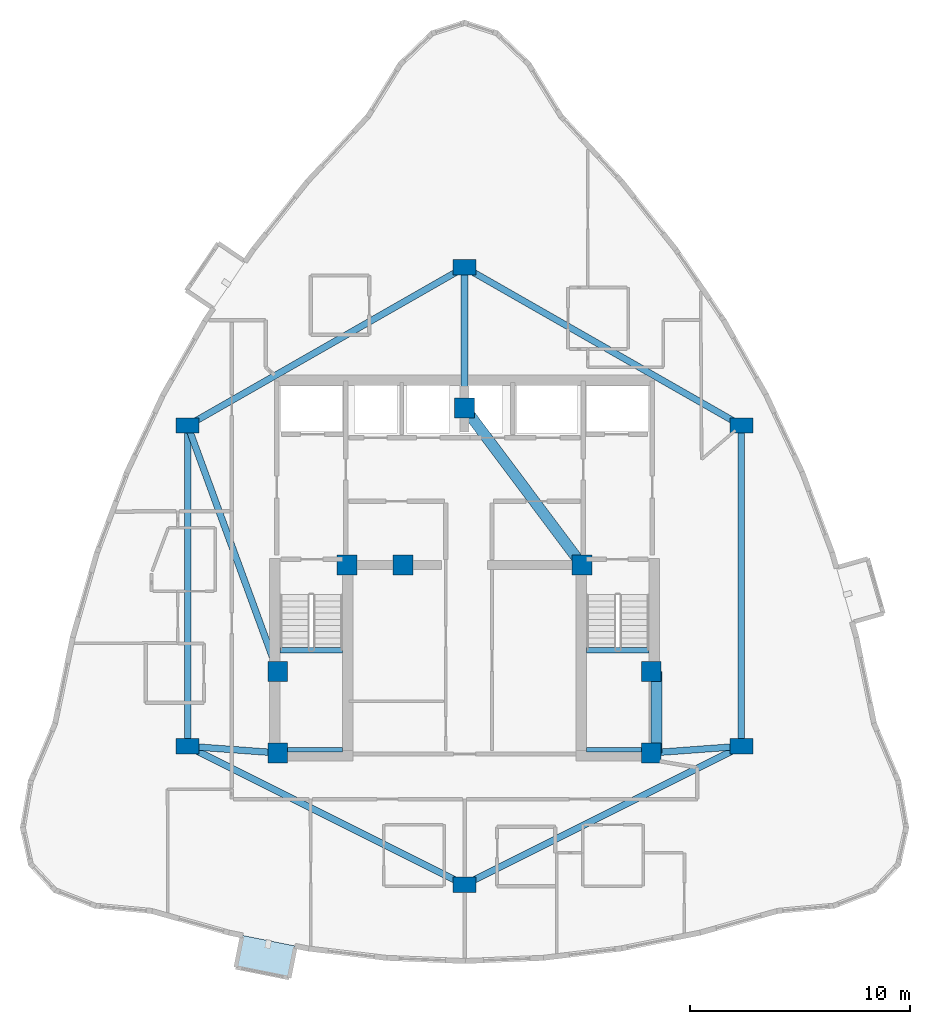
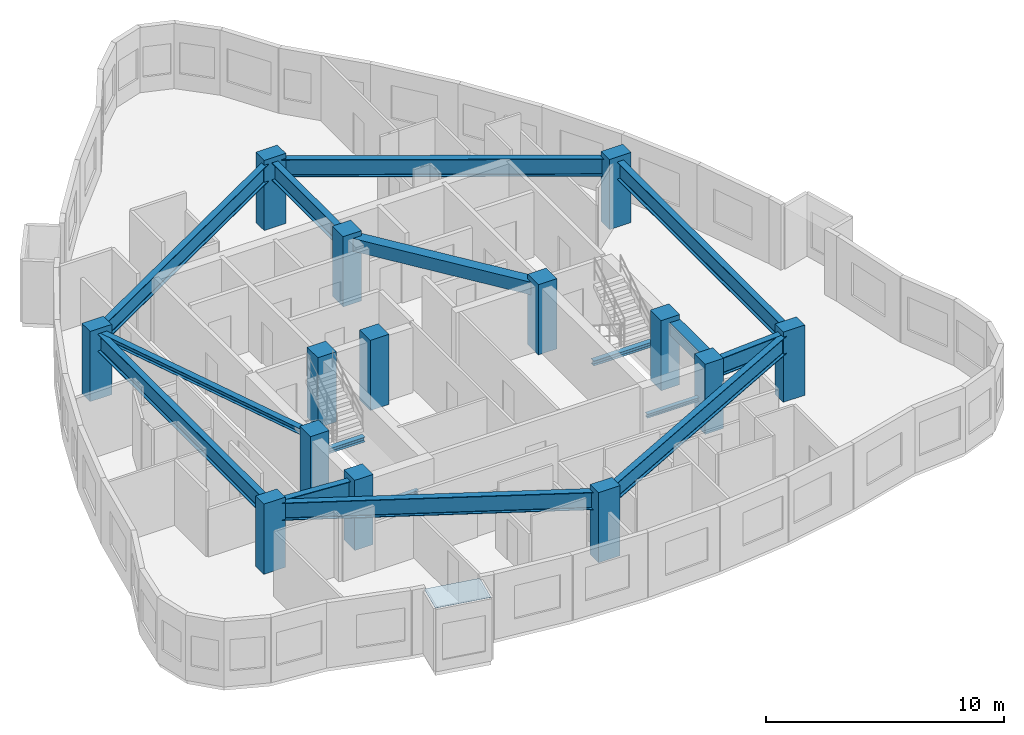
# One storey, part 1 of 13: 16 beams, 14 columns, 1 plate.
"""IFC4 building model written with IfcOpenShell, lengths in metres."""

from ifc_helpers import new_model, si_unit, direction, frame, origin, origin_2d, place, context, subcontext, project, spatial, polyline, rectangle, i_section, outline, extrude, material, layer, layer_set, material_profile, profile_set, type_object, element, save


model = new_model("IFC4")

# Units and contexts
model_context = context("Model", 3, precision=1e-05, world=origin(), true_north=direction((0.0, 1.0)))
body_context = subcontext(model_context, "Body", "Model", "MODEL_VIEW")
ifc_project = project(units=[si_unit("LENGTHUNIT", "METRE"), si_unit("AREAUNIT", "SQUARE_METRE"), si_unit("VOLUMEUNIT", "CUBIC_METRE"), si_unit("PLANEANGLEUNIT", "RADIAN"), si_unit("MASSUNIT", "GRAM", prefix="KILO")], contexts=[model_context])

# Site, building, storey
site_placement = place(None, origin())
site = spatial("IfcSite", under=ifc_project, at=site_placement, CompositionType="ELEMENT")
building_placement = place(site_placement, origin())
building = spatial("IfcBuilding", under=site, at=building_placement, Name="Miruveldt Soraemaru", CompositionType="ELEMENT")
storey_placement = place(building_placement, frame((0.0, 0.0, 205.199951171875)))
storey = spatial("IfcBuildingStorey", under=building, at=storey_placement, Name="L56", CompositionType="ELEMENT", Elevation=205.199951171875)

# Columns
ifc_material_1 = material(Name="Concrete C50/60 (50 MPa)", Category="concrete")
ifc_material_profile_1 = material_profile(ifc_material_1, rectangle(XDim=0.89990234375, YDim=0.89990234375, at=origin_2d()), Name="Concrete C50/60 (50 MPa)", Category="concrete")
ifc_profile_set_1 = profile_set([ifc_material_profile_1], Name="Concrete C50/60 (50 MPa)")
column_type_1 = type_object("IfcColumnType", Name="COL-CORE-900", PredefinedType="COLUMN", material=ifc_profile_set_1)
for number, where, z_axis, x_axis, name in (
    (1, (35.5, 35.5, 0.0), (0.0, 0.0, 1.0), (1.0, 0.0, 0.0), "L56 Structural Column CC1"),
    (2, (38.64990234375, 44.050048828125, 0.0), (0.0, 0.0, 1.0), (1.0, 0.0, 0.0), "L56 Structural Column CC2"),
    (3, (52.5, 35.5, 0.0), (0.0, 0.0, 1.0), (1.0, 0.0, 0.0), "L56 Structural Column CC3"),
    (4, (52.5, 39.199951171875, 0.0), (0.0, 0.0, 1.0), (1.0, 0.0, 0.0), "L56 Structural Column CC4"),
    (5, (49.35009765625, 44.050048828125, 0.0), (0.0, 0.0, 1.0), (1.0, 0.0, 0.0), "L56 Structural Column CC5"),
    (6, (44.0, 51.199951171875, 0.0), (0.0, 0.0, 1.0), (1.0, 0.0, 0.0), "L56 Structural Column CC6"),
    (7, (35.5, 39.199951171875, 0.0), (0.0, 0.0, 1.0), (1.0, 0.0, 0.0), "L56 Structural Column CC7"),
    (8, (41.199951171875, 44.050048828125, 0.0), (0.0, 0.0, 1.0), (1.0, 0.0, 0.0), "L56 Structural Column CC8"),
):
    element("IfcColumn", number, at=place(storey_placement, frame(where, z_axis=z_axis, x_axis=x_axis)), inside=storey, type_object=column_type_1, Name=name, PredefinedType="COLUMN", context=body_context, shape_type="SweptSolid", body=[
        extrude(rectangle(XDim=0.89990234375, YDim=0.89990234375, at=origin_2d()), origin(), (0.0, 0.0, 1.0), 3.60009765625),
    ])
ifc_material_2 = material(Name="Concrete C60/75 (60 MPa)", Category="concrete")
ifc_material_profile_2 = material_profile(ifc_material_2, rectangle(XDim=1.050048828125, YDim=0.699951171875, at=origin_2d()), Name="Concrete C60/75 (60 MPa)", Category="concrete")
ifc_profile_set_2 = profile_set([ifc_material_profile_2], Name="Concrete C60/75 (60 MPa)")
column_type_2 = type_object("IfcColumnType", Name="COL-TW-Z3", PredefinedType="COLUMN", material=ifc_profile_set_2)
for number, where, z_axis, x_axis, name in (
    (9, (44.0, 57.60009765625, 0.0), (0.0, 0.0, 1.0), (1.0, 0.0, 0.0), "L56 Structural Column IR01"),
    (10, (56.60009765625, 50.39990234375, 0.0), (0.0, 0.0, 1.0), (1.0, 0.0, 0.0), "L56 Structural Column IR02"),
    (11, (56.60009765625, 35.800048828125, 0.0), (0.0, 0.0, 1.0), (1.0, 0.0, 0.0), "L56 Structural Column IR03"),
    (12, (44.0, 29.5, 0.0), (0.0, 0.0, 1.0), (1.0, 0.0, 0.0), "L56 Structural Column IR04"),
    (13, (31.39990234375, 35.800048828125, 0.0), (0.0, 0.0, 1.0), (1.0, 0.0, 0.0), "L56 Structural Column IR05"),
    (14, (31.39990234375, 50.39990234375, 0.0), (0.0, 0.0, 1.0), (1.0, 0.0, 0.0), "L56 Structural Column IR06"),
):
    element("IfcColumn", number, at=place(storey_placement, frame(where, z_axis=z_axis, x_axis=x_axis)), inside=storey, type_object=column_type_2, Name=name, PredefinedType="COLUMN", context=body_context, shape_type="SweptSolid", body=[
        extrude(rectangle(XDim=1.050048828125, YDim=0.699951171875, at=origin_2d()), origin(), (0.0, 0.0, 1.0), 3.60009765625),
    ])

# Beams
ifc_material_3 = material(Name="Steel SM355 (355 MPa)", Category="steel")
ifc_material_profile_3 = material_profile(ifc_material_3, i_section(OverallWidth=0.300048828125, OverallDepth=0.300048828125, WebThickness=0.010009765625, FlangeThickness=0.014892578125, FilletRadius=0.01806640625, at=origin_2d()), Name="Steel SM355 (355 MPa)", Category="steel")
ifc_profile_set_3 = profile_set([ifc_material_profile_3], Name="Steel SM355 (355 MPa)")
beam_type_1 = type_object("IfcBeamType", Name="BM-LNT-H300", PredefinedType="LINTEL", material=ifc_profile_set_3)
beam_1_placement = place(storey_placement, frame((31.39990234375, 50.39990234375, 3.195068359375), z_axis=(0.343770424598, -0.939053723262, 0.0), x_axis=(0.939053723262, 0.343770424598, 0.0)))
element("IfcBeam", 15, at=beam_1_placement, inside=storey, type_object=beam_type_1, Name="L56 West Lobby Lintel", PredefinedType="LINTEL", context=body_context, shape_type="SweptSolid", body=[
    extrude(i_section(OverallWidth=0.300048828125, OverallDepth=0.300048828125, WebThickness=0.010009765625, FlangeThickness=0.014892578125, FilletRadius=0.01806640625, at=origin_2d()), origin(), (0.0, 0.0, 1.0), 11.9267578125),
])
ifc_material_profile_4 = material_profile(ifc_material_1, rectangle(XDim=0.5, YDim=0.64990234375, at=origin_2d()), Name="Concrete C50/60 (50 MPa)", Category="concrete")
ifc_profile_set_4 = profile_set([ifc_material_profile_4], Name="Concrete C50/60 (50 MPa)")
beam_type_2 = type_object("IfcBeamType", Name="BM-RC-500x650", PredefinedType="BEAM", material=ifc_profile_set_4)
beam_2_placement = place(storey_placement, frame((52.72998046875, 35.5, 3.02001953125), z_axis=(0.0, 1.0, 0.0), x_axis=(-1.0, 0.0, 0.0)))
element("IfcBeam", 16, at=beam_2_placement, inside=storey, type_object=beam_type_2, Name="L56 Core Tie Beam 3", PredefinedType="BEAM", context=body_context, shape_type="SweptSolid", body=[
    extrude(rectangle(XDim=0.5, YDim=0.64990234375, at=origin_2d()), origin(), (0.0, 0.0, 1.0), 3.699951171875),
])
beam_3_placement = place(storey_placement, frame((49.35009765625, 44.050048828125, 3.02001953125), z_axis=(-0.599116023999, 0.800662219533, 0.0), x_axis=(-0.800662219533, -0.599116023999, 0.0)))
element("IfcBeam", 17, at=beam_3_placement, inside=storey, type_object=beam_type_2, Name="L56 Core Tie Beam 5", PredefinedType="BEAM", context=body_context, shape_type="SweptSolid", body=[
    extrude(rectangle(XDim=0.5, YDim=0.64990234375, at=origin_2d()), origin(), (0.0, 0.0, 1.0), 8.929931640625),
])
ifc_material_4 = material(Name="Steel S460 (460 MPa)", Category="steel")
ifc_material_profile_5 = material_profile(ifc_material_4, i_section(OverallWidth=0.300048828125, OverallDepth=0.89990234375, WebThickness=0.01611328125, FlangeThickness=0.028076171875, FilletRadius=0.028076171875, at=origin_2d()), Name="Steel S460 (460 MPa)", Category="steel")
ifc_profile_set_5 = profile_set([ifc_material_profile_5], Name="Steel S460 (460 MPa)")
beam_type_3 = type_object("IfcBeamType", Name="BM-ST-H900", PredefinedType="BEAM", material=ifc_profile_set_5)
beam_4_placement = place(storey_placement, frame((44.0, 57.60009765625, 2.89501953125), z_axis=(0.868239001029, -0.496146185203, 0.0), x_axis=(0.496146185203, 0.868239001029, 0.0)))
element("IfcBeam", 18, at=beam_4_placement, inside=storey, type_object=beam_type_3, Name="L56 Inner Ring Girder 1", PredefinedType="BEAM", context=body_context, shape_type="SweptSolid", body=[
    extrude(i_section(OverallWidth=0.300048828125, OverallDepth=0.89990234375, WebThickness=0.01611328125, FlangeThickness=0.028076171875, FilletRadius=0.028076171875, at=origin_2d()), origin(), (0.0, 0.0, 1.0), 14.51220703125),
])
beam_5_placement = place(storey_placement, frame((44.0, 51.199951171875, 2.89501953125), z_axis=(0.0, 1.0, 0.0), x_axis=(-1.0, 0.0, 0.0)))
element("IfcBeam", 19, at=beam_5_placement, inside=storey, type_object=beam_type_3, Name="L56 Core-to-Inner Radial Girder 1", PredefinedType="BEAM", context=body_context, shape_type="SweptSolid", body=[
    extrude(i_section(OverallWidth=0.300048828125, OverallDepth=0.89990234375, WebThickness=0.01611328125, FlangeThickness=0.028076171875, FilletRadius=0.028076171875, at=origin_2d()), origin(), (0.0, 0.0, 1.0), 6.400146484375),
])
beam_6_placement = place(storey_placement, frame((56.60009765625, 50.39990234375, 2.89501953125), z_axis=(0.0, -1.0, 0.0), x_axis=(1.0, 0.0, 0.0)))
element("IfcBeam", 20, at=beam_6_placement, inside=storey, type_object=beam_type_3, Name="L56 Inner Ring Girder 2", PredefinedType="BEAM", context=body_context, shape_type="SweptSolid", body=[
    extrude(i_section(OverallWidth=0.300048828125, OverallDepth=0.89990234375, WebThickness=0.01611328125, FlangeThickness=0.028076171875, FilletRadius=0.028076171875, at=origin_2d()), origin(), (0.0, 0.0, 1.0), 14.599853515625),
])
beam_7_placement = place(storey_placement, frame((56.60009765625, 35.800048828125, 2.89501953125), z_axis=(-0.894427191, -0.4472135955, 0.0), x_axis=(0.4472135955, -0.894427191, 0.0)))
element("IfcBeam", 21, at=beam_7_placement, inside=storey, type_object=beam_type_3, Name="L56 Inner Ring Girder 3", PredefinedType="BEAM", context=body_context, shape_type="SweptSolid", body=[
    extrude(i_section(OverallWidth=0.300048828125, OverallDepth=0.89990234375, WebThickness=0.01611328125, FlangeThickness=0.028076171875, FilletRadius=0.028076171875, at=origin_2d()), origin(), (0.0, 0.0, 1.0), 14.08740234375),
])
beam_8_placement = place(storey_placement, frame((52.5, 35.5, 2.89501953125), z_axis=(0.997332985605, 0.072985723431, 0.0), x_axis=(-0.072985723431, 0.997332985605, 0.0)))
element("IfcBeam", 22, at=beam_8_placement, inside=storey, type_object=beam_type_3, Name="L56 Core-to-Inner Radial Girder 3", PredefinedType="BEAM", context=body_context, shape_type="SweptSolid", body=[
    extrude(i_section(OverallWidth=0.300048828125, OverallDepth=0.89990234375, WebThickness=0.01611328125, FlangeThickness=0.028076171875, FilletRadius=0.028076171875, at=origin_2d()), origin(), (0.0, 0.0, 1.0), 4.111083984375),
])
beam_9_placement = place(storey_placement, frame((44.0, 29.5, 2.89501953125), z_axis=(-0.894427191, 0.4472135955, 0.0), x_axis=(-0.4472135955, -0.894427191, 0.0)))
element("IfcBeam", 23, at=beam_9_placement, inside=storey, type_object=beam_type_3, Name="L56 Inner Ring Girder 4", PredefinedType="BEAM", context=body_context, shape_type="SweptSolid", body=[
    extrude(i_section(OverallWidth=0.300048828125, OverallDepth=0.89990234375, WebThickness=0.01611328125, FlangeThickness=0.028076171875, FilletRadius=0.028076171875, at=origin_2d()), origin(), (0.0, 0.0, 1.0), 14.08740234375),
])
beam_10_placement = place(storey_placement, frame((31.39990234375, 35.800048828125, 2.89501953125), z_axis=(0.0, 1.0, 0.0), x_axis=(-1.0, 0.0, 0.0)))
element("IfcBeam", 24, at=beam_10_placement, inside=storey, type_object=beam_type_3, Name="L56 Inner Ring Girder 5", PredefinedType="BEAM", context=body_context, shape_type="SweptSolid", body=[
    extrude(i_section(OverallWidth=0.300048828125, OverallDepth=0.89990234375, WebThickness=0.01611328125, FlangeThickness=0.028076171875, FilletRadius=0.028076171875, at=origin_2d()), origin(), (0.0, 0.0, 1.0), 14.599853515625),
])
beam_11_placement = place(storey_placement, frame((35.5, 35.5, 2.89501953125), z_axis=(-0.997332985605, 0.072985723431, 0.0), x_axis=(-0.072985723431, -0.997332985605, 0.0)))
element("IfcBeam", 25, at=beam_11_placement, inside=storey, type_object=beam_type_3, Name="L56 Core-to-Inner Radial Girder 5", PredefinedType="BEAM", context=body_context, shape_type="SweptSolid", body=[
    extrude(i_section(OverallWidth=0.300048828125, OverallDepth=0.89990234375, WebThickness=0.01611328125, FlangeThickness=0.028076171875, FilletRadius=0.028076171875, at=origin_2d()), origin(), (0.0, 0.0, 1.0), 4.111083984375),
])
beam_12_placement = place(storey_placement, frame((31.39990234375, 50.39990234375, 2.89501953125), z_axis=(0.868239001029, 0.496146185203, 0.0), x_axis=(-0.496146185203, 0.868239001029, 0.0)))
element("IfcBeam", 26, at=beam_12_placement, inside=storey, type_object=beam_type_3, Name="L56 Inner Ring Girder 6", PredefinedType="BEAM", context=body_context, shape_type="SweptSolid", body=[
    extrude(i_section(OverallWidth=0.300048828125, OverallDepth=0.89990234375, WebThickness=0.01611328125, FlangeThickness=0.028076171875, FilletRadius=0.028076171875, at=origin_2d()), origin(), (0.0, 0.0, 1.0), 14.51220703125),
])
ifc_material_profile_6 = material_profile(ifc_material_3, i_section(OverallWidth=0.199951171875, OverallDepth=0.199951171875, WebThickness=0.008056640625, FlangeThickness=0.011962890625, FilletRadius=0.012939453125, at=origin_2d()), Name="Steel SM355 (355 MPa)", Category="steel")
ifc_profile_set_6 = profile_set([ifc_material_profile_6], Name="Steel SM355 (355 MPa)")
beam_type_4 = type_object("IfcBeamType", Name="BM-ST-LND200", PredefinedType="BEAM", material=ifc_profile_set_6)
for number, where, z_axis, x_axis, name in (
    (27, (35.60009765625, 35.64990234375, 1.5), (1.0, 0.0, 0.0), (0.0, 1.0, 0.0), "L56 ST1 Landing End Beam 1B"),
    (28, (49.550048828125, 35.64990234375, 1.5), (1.0, 0.0, 0.0), (0.0, 1.0, 0.0), "L56 ST2 Landing End Beam 1B"),
):
    element("IfcBeam", number, at=place(storey_placement, frame(where, z_axis=z_axis, x_axis=x_axis)), inside=storey, type_object=beam_type_4, Name=name, PredefinedType="BEAM", context=body_context, shape_type="SweptSolid", body=[
        extrude(i_section(OverallWidth=0.199951171875, OverallDepth=0.199951171875, WebThickness=0.008056640625, FlangeThickness=0.011962890625, FilletRadius=0.012939453125, at=origin_2d()), origin(), (0.0, 0.0, 1.0), 2.849853515625),
    ])
ifc_material_profile_7 = material_profile(ifc_material_3, i_section(OverallWidth=0.25, OverallDepth=0.25, WebThickness=0.009033203125, FlangeThickness=0.013916015625, FilletRadius=0.01611328125, at=origin_2d()), Name="Steel SM355 (355 MPa)", Category="steel")
ifc_profile_set_7 = profile_set([ifc_material_profile_7], Name="Steel SM355 (355 MPa)")
beam_type_5 = type_object("IfcBeamType", Name="BM-ST-LND250", PredefinedType="BEAM", material=ifc_profile_set_7)
for number, where, z_axis, x_axis, name in (
    (29, (35.60009765625, 40.179931640625, 1.47509765625), (1.0, 0.0, 0.0), (0.0, 1.0, 0.0), "L56 ST1 Landing Support Beam 1A"),
    (30, (49.550048828125, 40.179931640625, 1.47509765625), (1.0, 0.0, 0.0), (0.0, 1.0, 0.0), "L56 ST2 Landing Support Beam 1A"),
):
    element("IfcBeam", number, at=place(storey_placement, frame(where, z_axis=z_axis, x_axis=x_axis)), inside=storey, type_object=beam_type_5, Name=name, PredefinedType="BEAM", context=body_context, shape_type="SweptSolid", body=[
        extrude(i_section(OverallWidth=0.25, OverallDepth=0.25, WebThickness=0.009033203125, FlangeThickness=0.013916015625, FilletRadius=0.01611328125, at=origin_2d()), origin(), (0.0, 0.0, 1.0), 2.849853515625),
    ])

# Plate
ifc_material_5 = material(Name="Standing-seam titanium-zinc sheet", Category="aluminium")
ifc_layer = layer(ifc_material_5, 0.011962890625, Name="Standing-seam titanium-zinc sheet", Category="aluminium")
ifc_layer_set = layer_set([ifc_layer], Name="Standing-seam titanium-zinc sheet")
plate_type = type_object("IfcPlateType", Name="PLT-ZINC-12", PredefinedType="SHEET", material=ifc_layer_set)
plate_placement = place(storey_placement, frame((0.0, 0.0, 3.195068359375)))
element("IfcPlate", 31, at=plate_placement, inside=storey, type_object=plate_type, Name="L56 Bay Window Zinc Hood Sheet 2", PredefinedType="SHEET", context=body_context, shape_type="SweptSolid", body=[
    extrude(outline(polyline([(33.882080078125, 27.1923828125), (36.30517578125, 26.7080078125), (36.014892578125, 25.256591796875), (33.591796875, 25.7412109375), (33.882080078125, 27.1923828125)])), origin(), (0.0, 0.0, 1.0), 0.011962890625),
])

save(model, "model.ifc")
